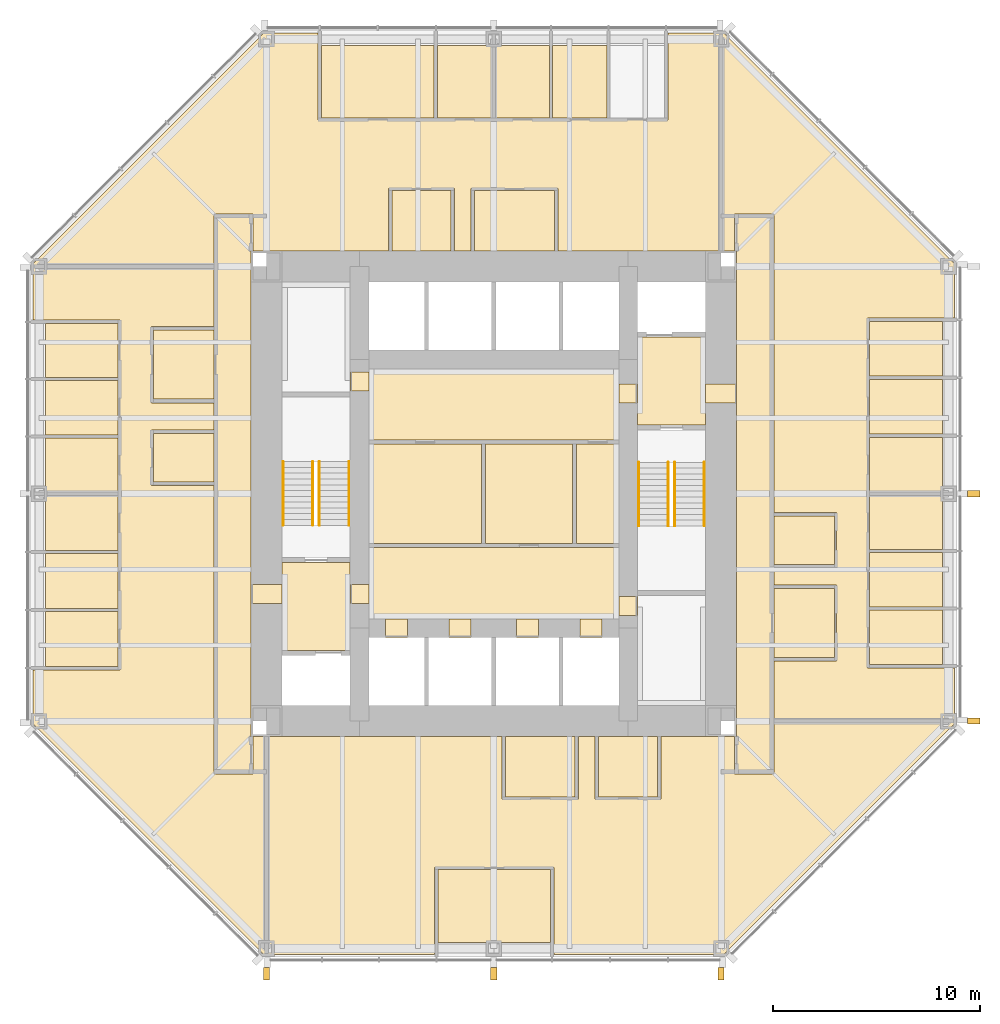
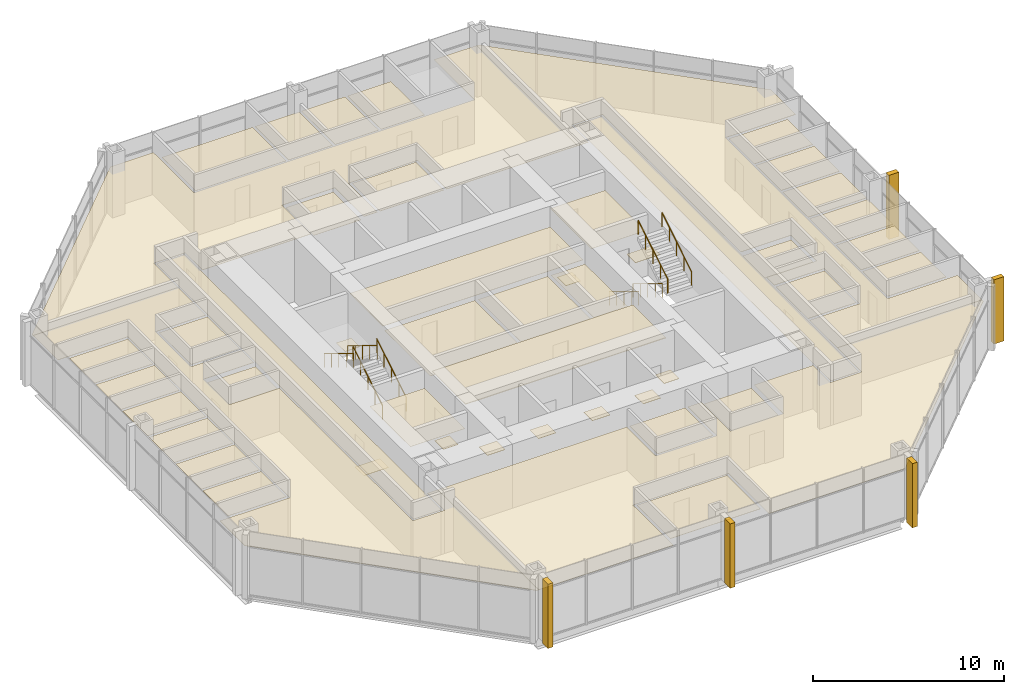
# One storey, part 13 of 14: 53 coverings, 8 railings.
"""IFC4 building model written with IfcOpenShell, lengths in metres."""

from ifc_helpers import new_model, si_unit, direction, frame, origin, origin_2d, place, context, subcontext, project, spatial, polyline, rectangle, circle, outline, extrude, material, layer, layer_set, type_object, element, save


model = new_model("IFC4")

# Units and contexts
model_context = context("Model", 3, precision=1e-05, world=origin(), true_north=direction((0.0, 1.0)))
body_context = subcontext(model_context, "Body", "Model", "MODEL_VIEW")
ifc_project = project(units=[si_unit("LENGTHUNIT", "METRE"), si_unit("AREAUNIT", "SQUARE_METRE"), si_unit("VOLUMEUNIT", "CUBIC_METRE"), si_unit("PLANEANGLEUNIT", "RADIAN"), si_unit("MASSUNIT", "GRAM", prefix="KILO")], contexts=[model_context])

# Site, building, storey
site_placement = place(None, origin())
site = spatial("IfcSite", under=ifc_project, at=site_placement, CompositionType="ELEMENT")
building_placement = place(site_placement, origin())
building = spatial("IfcBuilding", under=site, at=building_placement, Name="Trevanion Tower", CompositionType="ELEMENT")
storey_placement = place(building_placement, frame((0.0, 0.0, 104.89990234375)))
storey = spatial("IfcBuildingStorey", under=building, at=storey_placement, Name="L24", CompositionType="ELEMENT", Elevation=104.89990234375)

# Coverings
ifc_material_1 = material(Name="Fibrous plaster coffers on suspended steel grid", Category="steel")
ifc_layer_1 = layer(ifc_material_1, 0.050048828125)
ifc_layer_set_1 = layer_set([ifc_layer_1], Name="CL1 coffered fibrous plaster ceiling 50")
covering_type_1 = type_object("IfcCoveringType", Name="CL1 coffered fibrous plaster ceiling 50", PredefinedType="CEILING", material=ifc_layer_set_1)
covering_1_placement = place(storey_placement, frame((0.0, 0.0, 3.0)))
element("IfcCovering", 1, at=covering_1_placement, inside=storey, type_object=covering_type_1, Name="CL1 L24-LBS", PredefinedType="CEILING", context=body_context, shape_type="SweptSolid", body=[
    extrude(outline(polyline([(6.050048828125, -6.050048828125), (6.050048828125, -2.60009765625), (-6.050048828125, -2.60009765625), (-6.050048828125, -6.050048828125), (6.050048828125, -6.050048828125)])), origin(), (0.0, 0.0, 1.0), 0.050048828125),
])
ifc_material_2 = material(Name="Mineral fibre acoustic tiles in exposed grid", Category="mineral fibre")
ifc_layer_2 = layer(ifc_material_2, 0.02001953125)
ifc_layer_set_2 = layer_set([ifc_layer_2], Name="CL2 acoustic tile ceiling 20")
covering_type_2 = type_object("IfcCoveringType", Name="CL2 acoustic tile ceiling 20", PredefinedType="CEILING", material=ifc_layer_set_2)
covering_2_placement = place(storey_placement, frame((0.0, 0.0, 2.75)))
element("IfcCovering", 2, at=covering_2_placement, inside=storey, type_object=covering_type_2, Name="CL2 L24-LBN", PredefinedType="CEILING", context=body_context, shape_type="SweptSolid", body=[
    extrude(outline(polyline([(6.050048828125, 2.60009765625), (6.050048828125, 6.050048828125), (-6.050048828125, 6.050048828125), (-6.050048828125, 2.60009765625), (6.050048828125, 2.60009765625)])), origin(), (0.0, 0.0, 1.0), 0.02001953125),
])
covering_3_placement = place(storey_placement, frame((0.0, 0.0, 2.75)))
element("IfcCovering", 3, at=covering_3_placement, inside=storey, type_object=covering_type_2, Name="CL2 L24-CO1", PredefinedType="CEILING", context=body_context, shape_type="SweptSolid", body=[
    extrude(outline(polyline([(-11.75, 13.449951171875), (-11.75, -13.449951171875), (-13.449951171875, -13.449951171875), (-13.449951171875, 13.449951171875), (-11.75, 13.449951171875)])), origin(), (0.0, 0.0, 1.0), 0.02001953125),
])
covering_4_placement = place(storey_placement, frame((0.0, 0.0, 2.75)))
element("IfcCovering", 4, at=covering_4_placement, inside=storey, type_object=covering_type_2, Name="CL2 L24-CO2", PredefinedType="CEILING", context=body_context, shape_type="SweptSolid", body=[
    extrude(outline(polyline([(11.75, 13.449951171875), (13.449951171875, 13.449951171875), (13.449951171875, -13.449951171875), (11.75, -13.449951171875), (11.75, 13.449951171875)])), origin(), (0.0, 0.0, 1.0), 0.02001953125),
])
covering_5_placement = place(storey_placement, frame((0.0, 0.0, 2.75)))
element("IfcCovering", 5, at=covering_5_placement, inside=storey, type_object=covering_type_2, Name="CL2 L24-OF", PredefinedType="CEILING", context=body_context, shape_type="SweptSolid", body=[
    extrude(outline(polyline([(18.175048828125, -8.248046875), (18.175048828125, -5.6240234375), (21.699951171875, -5.6240234375), (21.699951171875, -8.248046875), (18.175048828125, -8.248046875)])), origin(), (0.0, 0.0, 1.0), 0.02001953125),
])
covering_6_placement = place(storey_placement, frame((0.0, 0.0, 2.75)))
element("IfcCovering", 6, at=covering_6_placement, inside=storey, type_object=covering_type_2, Name="CL2 L24-OF2", PredefinedType="CEILING", context=body_context, shape_type="SweptSolid", body=[
    extrude(outline(polyline([(18.175048828125, -5.47412109375), (18.175048828125, -2.85009765625), (21.699951171875, -2.85009765625), (21.699951171875, -5.47412109375), (18.175048828125, -5.47412109375)])), origin(), (0.0, 0.0, 1.0), 0.02001953125),
])
covering_7_placement = place(storey_placement, frame((0.0, 0.0, 2.75)))
element("IfcCovering", 7, at=covering_7_placement, inside=storey, type_object=covering_type_2, Name="CL2 L24-OF3", PredefinedType="CEILING", context=body_context, shape_type="SweptSolid", body=[
    extrude(outline(polyline([(18.175048828125, -2.699951171875), (18.175048828125, -0.074951171875), (21.699951171875, -0.074951171875), (21.699951171875, -2.699951171875), (18.175048828125, -2.699951171875)])), origin(), (0.0, 0.0, 1.0), 0.02001953125),
])
covering_8_placement = place(storey_placement, frame((0.0, 0.0, 2.75)))
element("IfcCovering", 8, at=covering_8_placement, inside=storey, type_object=covering_type_2, Name="CL2 L24-OF4", PredefinedType="CEILING", context=body_context, shape_type="SweptSolid", body=[
    extrude(outline(polyline([(18.175048828125, 0.074951171875), (18.175048828125, 2.73193359375), (21.699951171875, 2.73193359375), (21.699951171875, 0.074951171875), (18.175048828125, 0.074951171875)])), origin(), (0.0, 0.0, 1.0), 0.02001953125),
])
covering_9_placement = place(storey_placement, frame((0.0, 0.0, 2.75)))
element("IfcCovering", 9, at=covering_9_placement, inside=storey, type_object=covering_type_2, Name="CL2 L24-OF5", PredefinedType="CEILING", context=body_context, shape_type="SweptSolid", body=[
    extrude(outline(polyline([(18.175048828125, 2.882080078125), (18.175048828125, 5.5390625), (21.699951171875, 5.5390625), (21.699951171875, 2.882080078125), (18.175048828125, 2.882080078125)])), origin(), (0.0, 0.0, 1.0), 0.02001953125),
])
covering_10_placement = place(storey_placement, frame((0.0, 0.0, 2.75)))
element("IfcCovering", 10, at=covering_10_placement, inside=storey, type_object=covering_type_2, Name="CL2 L24-OF6", PredefinedType="CEILING", context=body_context, shape_type="SweptSolid", body=[
    extrude(outline(polyline([(18.175048828125, 5.68896484375), (18.175048828125, 8.345947265625), (21.699951171875, 8.345947265625), (21.699951171875, 5.68896484375), (18.175048828125, 5.68896484375)])), origin(), (0.0, 0.0, 1.0), 0.02001953125),
])
covering_11_placement = place(storey_placement, frame((0.0, 0.0, 2.75)))
element("IfcCovering", 11, at=covering_11_placement, inside=storey, type_object=covering_type_2, Name="CL2 L24-OF8", PredefinedType="CEILING", context=body_context, shape_type="SweptSolid", body=[
    extrude(outline(polyline([(5.47412109375, 18.175048828125), (2.85009765625, 18.175048828125), (2.85009765625, 21.699951171875), (5.47412109375, 21.699951171875), (5.47412109375, 18.175048828125)])), origin(), (0.0, 0.0, 1.0), 0.02001953125),
])
covering_12_placement = place(storey_placement, frame((0.0, 0.0, 2.75)))
element("IfcCovering", 12, at=covering_12_placement, inside=storey, type_object=covering_type_2, Name="CL2 L24-OF9", PredefinedType="CEILING", context=body_context, shape_type="SweptSolid", body=[
    extrude(outline(polyline([(2.699951171875, 18.175048828125), (0.074951171875, 18.175048828125), (0.074951171875, 21.699951171875), (2.699951171875, 21.699951171875), (2.699951171875, 18.175048828125)])), origin(), (0.0, 0.0, 1.0), 0.02001953125),
])
covering_13_placement = place(storey_placement, frame((0.0, 0.0, 2.75)))
element("IfcCovering", 13, at=covering_13_placement, inside=storey, type_object=covering_type_2, Name="CL2 L24-OF10", PredefinedType="CEILING", context=body_context, shape_type="SweptSolid", body=[
    extrude(outline(polyline([(-0.074951171875, 18.175048828125), (-2.73193359375, 18.175048828125), (-2.73193359375, 21.699951171875), (-0.074951171875, 21.699951171875), (-0.074951171875, 18.175048828125)])), origin(), (0.0, 0.0, 1.0), 0.02001953125),
])
covering_14_placement = place(storey_placement, frame((0.0, 0.0, 2.75)))
element("IfcCovering", 14, at=covering_14_placement, inside=storey, type_object=covering_type_2, Name="CL2 L24-MR", PredefinedType="CEILING", context=body_context, shape_type="SweptSolid", body=[
    extrude(outline(polyline([(-2.882080078125, 18.175048828125), (-8.345947265625, 18.175048828125), (-8.345947265625, 21.699951171875), (-2.882080078125, 21.699951171875), (-2.882080078125, 18.175048828125)])), origin(), (0.0, 0.0, 1.0), 0.02001953125),
])
covering_15_placement = place(storey_placement, frame((0.0, 0.0, 2.75)))
element("IfcCovering", 15, at=covering_15_placement, inside=storey, type_object=covering_type_2, Name="CL2 L24-OF11", PredefinedType="CEILING", context=body_context, shape_type="SweptSolid", body=[
    extrude(outline(polyline([(-18.175048828125, 8.248046875), (-18.175048828125, 5.6240234375), (-21.699951171875, 5.6240234375), (-21.699951171875, 8.248046875), (-18.175048828125, 8.248046875)])), origin(), (0.0, 0.0, 1.0), 0.02001953125),
])
covering_16_placement = place(storey_placement, frame((0.0, 0.0, 2.75)))
element("IfcCovering", 16, at=covering_16_placement, inside=storey, type_object=covering_type_2, Name="CL2 L24-OF12", PredefinedType="CEILING", context=body_context, shape_type="SweptSolid", body=[
    extrude(outline(polyline([(-18.175048828125, 5.47412109375), (-18.175048828125, 2.85009765625), (-21.699951171875, 2.85009765625), (-21.699951171875, 5.47412109375), (-18.175048828125, 5.47412109375)])), origin(), (0.0, 0.0, 1.0), 0.02001953125),
])
covering_17_placement = place(storey_placement, frame((0.0, 0.0, 2.75)))
element("IfcCovering", 17, at=covering_17_placement, inside=storey, type_object=covering_type_2, Name="CL2 L24-OF13", PredefinedType="CEILING", context=body_context, shape_type="SweptSolid", body=[
    extrude(outline(polyline([(-18.175048828125, 2.699951171875), (-18.175048828125, 0.074951171875), (-21.699951171875, 0.074951171875), (-21.699951171875, 2.699951171875), (-18.175048828125, 2.699951171875)])), origin(), (0.0, 0.0, 1.0), 0.02001953125),
])
covering_18_placement = place(storey_placement, frame((0.0, 0.0, 2.75)))
element("IfcCovering", 18, at=covering_18_placement, inside=storey, type_object=covering_type_2, Name="CL2 L24-OF14", PredefinedType="CEILING", context=body_context, shape_type="SweptSolid", body=[
    extrude(outline(polyline([(-18.175048828125, -0.074951171875), (-18.175048828125, -2.73193359375), (-21.699951171875, -2.73193359375), (-21.699951171875, -0.074951171875), (-18.175048828125, -0.074951171875)])), origin(), (0.0, 0.0, 1.0), 0.02001953125),
])
covering_19_placement = place(storey_placement, frame((0.0, 0.0, 2.75)))
element("IfcCovering", 19, at=covering_19_placement, inside=storey, type_object=covering_type_2, Name="CL2 L24-OF15", PredefinedType="CEILING", context=body_context, shape_type="SweptSolid", body=[
    extrude(outline(polyline([(-18.175048828125, -2.882080078125), (-18.175048828125, -5.5390625), (-21.699951171875, -5.5390625), (-21.699951171875, -2.882080078125), (-18.175048828125, -2.882080078125)])), origin(), (0.0, 0.0, 1.0), 0.02001953125),
])
covering_20_placement = place(storey_placement, frame((0.0, 0.0, 2.75)))
element("IfcCovering", 20, at=covering_20_placement, inside=storey, type_object=covering_type_2, Name="CL2 L24-OF16", PredefinedType="CEILING", context=body_context, shape_type="SweptSolid", body=[
    extrude(outline(polyline([(-18.175048828125, -5.68896484375), (-18.175048828125, -8.345947265625), (-21.699951171875, -8.345947265625), (-21.699951171875, -5.68896484375), (-18.175048828125, -5.68896484375)])), origin(), (0.0, 0.0, 1.0), 0.02001953125),
])
covering_21_placement = place(storey_placement, frame((0.0, 0.0, 2.75)))
element("IfcCovering", 21, at=covering_21_placement, inside=storey, type_object=covering_type_2, Name="CL2 L24-MR2", PredefinedType="CEILING", context=body_context, shape_type="SweptSolid", body=[
    extrude(outline(polyline([(-2.699951171875, -18.175048828125), (2.73193359375, -18.175048828125), (2.73193359375, -21.699951171875), (-2.699951171875, -21.699951171875), (-2.699951171875, -18.175048828125)])), origin(), (0.0, 0.0, 1.0), 0.02001953125),
])
covering_22_placement = place(storey_placement, frame((0.0, 0.0, 2.75)))
element("IfcCovering", 22, at=covering_22_placement, inside=storey, type_object=covering_type_2, Name="CL2 L24-RC", PredefinedType="CEILING", context=body_context, shape_type="SweptSolid", body=[
    extrude(outline(polyline([(13.550048828125, -7.925048828125), (13.550048828125, -4.574951171875), (16.47509765625, -4.574951171875), (16.47509765625, -7.925048828125), (13.550048828125, -7.925048828125)])), origin(), (0.0, 0.0, 1.0), 0.02001953125),
])
covering_23_placement = place(storey_placement, frame((0.0, 0.0, 2.75)))
element("IfcCovering", 23, at=covering_23_placement, inside=storey, type_object=covering_type_2, Name="CL2 L24-RC2", PredefinedType="CEILING", context=body_context, shape_type="SweptSolid", body=[
    extrude(outline(polyline([(-0.925048828125, 14.675048828125), (2.925048828125, 14.675048828125), (2.925048828125, 11.75), (-0.925048828125, 11.75), (-0.925048828125, 14.675048828125)])), origin(), (0.0, 0.0, 1.0), 0.02001953125),
])
covering_24_placement = place(storey_placement, frame((0.0, 0.0, 2.75)))
element("IfcCovering", 24, at=covering_24_placement, inside=storey, type_object=covering_type_2, Name="CL2 L24-RC3", PredefinedType="CEILING", context=body_context, shape_type="SweptSolid", body=[
    extrude(outline(polyline([(-13.550048828125, 7.925048828125), (-13.550048828125, 4.574951171875), (-16.47509765625, 4.574951171875), (-16.47509765625, 7.925048828125), (-13.550048828125, 7.925048828125)])), origin(), (0.0, 0.0, 1.0), 0.02001953125),
])
covering_25_placement = place(storey_placement, frame((0.0, 0.0, 2.75)))
element("IfcCovering", 25, at=covering_25_placement, inside=storey, type_object=covering_type_2, Name="CL2 L24-RC4", PredefinedType="CEILING", context=body_context, shape_type="SweptSolid", body=[
    extrude(outline(polyline([(3.925048828125, -14.675048828125), (0.574951171875, -14.675048828125), (0.574951171875, -11.75), (3.925048828125, -11.75), (3.925048828125, -14.675048828125)])), origin(), (0.0, 0.0, 1.0), 0.02001953125),
])
covering_26_placement = place(storey_placement, frame((0.0, 0.0, 2.75)))
element("IfcCovering", 26, at=covering_26_placement, inside=storey, type_object=covering_type_2, Name="CL2 L24-OP", PredefinedType="CEILING", context=body_context, shape_type="SweptSolid", body=[
    extrude(outline(polyline([(13.550048828125, -8.094970703125), (16.570068359375, -8.094970703125), (16.570068359375, -4.405029296875), (13.550048828125, -4.405029296875), (13.550048828125, -3.594970703125), (16.570068359375, -3.594970703125), (16.570068359375, -0.905029296875), (13.550048828125, -0.905029296875), (13.550048828125, 13.550048828125), (11.64990234375, 13.550048828125), (11.64990234375, 11.75), (11.0, 11.75), (11.0, 22.300048828125), (11.124267578125, 22.300048828125), (22.300048828125, 11.124267578125), (22.300048828125, 8.51611328125), (18.080078125, 8.51611328125), (18.080078125, -8.41796875), (22.300048828125, -8.41796875), (22.300048828125, -11.0), (13.550048828125, -11.0), (13.550048828125, -8.094970703125)])), origin(), (0.0, 0.0, 1.0), 0.02001953125),
])
covering_27_placement = place(storey_placement, frame((0.0, 0.0, 2.75)))
element("IfcCovering", 27, at=covering_27_placement, inside=storey, type_object=covering_type_2, Name="CL2 L24-OP2", PredefinedType="CEILING", context=body_context, shape_type="SweptSolid", body=[
    extrude(outline(polyline([(3.094970703125, 11.75), (3.094970703125, 14.77001953125), (-1.094970703125, 14.77001953125), (-1.094970703125, 11.75), (-1.905029296875, 11.75), (-1.905029296875, 14.77001953125), (-5.094970703125, 14.77001953125), (-5.094970703125, 11.75), (-11.64990234375, 11.75), (-11.64990234375, 13.550048828125), (-13.550048828125, 13.550048828125), (-13.550048828125, 11.0), (-22.300048828125, 11.0), (-22.300048828125, 11.124267578125), (-11.124267578125, 22.300048828125), (-8.51611328125, 22.300048828125), (-8.51611328125, 18.080078125), (8.41796875, 18.080078125), (8.41796875, 22.300048828125), (11.0, 22.300048828125), (11.0, 11.75), (3.094970703125, 11.75)])), origin(), (0.0, 0.0, 1.0), 0.02001953125),
])
covering_28_placement = place(storey_placement, frame((0.0, 0.0, 2.75)))
element("IfcCovering", 28, at=covering_28_placement, inside=storey, type_object=covering_type_2, Name="CL2 L24-OP3", PredefinedType="CEILING", context=body_context, shape_type="SweptSolid", body=[
    extrude(outline(polyline([(-13.550048828125, 8.094970703125), (-16.570068359375, 8.094970703125), (-16.570068359375, 4.405029296875), (-13.550048828125, 4.405029296875), (-13.550048828125, 3.094970703125), (-16.570068359375, 3.094970703125), (-16.570068359375, 0.405029296875), (-13.550048828125, 0.405029296875), (-13.550048828125, -13.550048828125), (-11.64990234375, -13.550048828125), (-11.64990234375, -11.75), (-11.0, -11.75), (-11.0, -22.300048828125), (-11.124267578125, -22.300048828125), (-22.300048828125, -11.124267578125), (-22.300048828125, -8.51611328125), (-18.080078125, -8.51611328125), (-18.080078125, 8.41796875), (-22.300048828125, 8.41796875), (-22.300048828125, 11.0), (-13.550048828125, 11.0), (-13.550048828125, 8.094970703125)])), origin(), (0.0, 0.0, 1.0), 0.02001953125),
])
covering_29_placement = place(storey_placement, frame((0.0, 0.0, 2.75)))
element("IfcCovering", 29, at=covering_29_placement, inside=storey, type_object=covering_type_2, Name="CL2 L24-OP4", PredefinedType="CEILING", context=body_context, shape_type="SweptSolid", body=[
    extrude(outline(polyline([(0.405029296875, -11.75), (0.405029296875, -14.77001953125), (4.094970703125, -14.77001953125), (4.094970703125, -11.75), (4.905029296875, -11.75), (4.905029296875, -14.77001953125), (8.094970703125, -14.77001953125), (8.094970703125, -11.75), (11.64990234375, -11.75), (11.64990234375, -13.550048828125), (13.550048828125, -13.550048828125), (13.550048828125, -11.0), (22.300048828125, -11.0), (22.300048828125, -11.124267578125), (11.124267578125, -22.300048828125), (2.902099609375, -22.300048828125), (2.902099609375, -18.080078125), (-2.8701171875, -18.080078125), (-2.8701171875, -22.300048828125), (-11.0, -22.300048828125), (-11.0, -11.75), (0.405029296875, -11.75)])), origin(), (0.0, 0.0, 1.0), 0.02001953125),
])
ifc_material_3 = material(Name="Gypsum plasterboard on suspended metal furring", Category="gypsum")
ifc_layer_3 = layer(ifc_material_3, 0.012939453125)
ifc_layer_set_3 = layer_set([ifc_layer_3], Name="CL3 plasterboard ceiling 13")
covering_type_3 = type_object("IfcCoveringType", Name="CL3 plasterboard ceiling 13", PredefinedType="CEILING", material=ifc_layer_set_3)
covering_30_placement = place(storey_placement, frame((0.0, 0.0, 2.7001953125)))
element("IfcCovering", 30, at=covering_30_placement, inside=storey, type_object=covering_type_3, Name="CL3 L24-FV1", PredefinedType="CEILING", context=body_context, shape_type="SweptSolid", body=[
    extrude(outline(polyline([(10.25, 3.324951171875), (10.25, 7.574951171875), (6.949951171875, 7.574951171875), (6.949951171875, 3.324951171875), (10.25, 3.324951171875)])), origin(), (0.0, 0.0, 1.0), 0.012939453125),
])
covering_31_placement = place(storey_placement, frame((0.0, 0.0, 2.7001953125)))
element("IfcCovering", 31, at=covering_31_placement, inside=storey, type_object=covering_type_3, Name="CL3 L24-FV2", PredefinedType="CEILING", context=body_context, shape_type="SweptSolid", body=[
    extrude(outline(polyline([(-10.25, -3.324951171875), (-10.25, -7.574951171875), (-6.949951171875, -7.574951171875), (-6.949951171875, -3.324951171875), (-10.25, -3.324951171875)])), origin(), (0.0, 0.0, 1.0), 0.012939453125),
])
ifc_material_4 = material(Name="Moisture-resistant gypsum board on suspended metal furring", Category="gypsum")
ifc_layer_4 = layer(ifc_material_4, 0.01611328125)
ifc_layer_set_4 = layer_set([ifc_layer_4], Name="CL4 moisture-resistant board ceiling 16")
covering_type_4 = type_object("IfcCoveringType", Name="CL4 moisture-resistant board ceiling 16", PredefinedType="CEILING", material=ifc_layer_set_4)
covering_32_placement = place(storey_placement, frame((0.0, 0.0, 2.60009765625)))
element("IfcCovering", 32, at=covering_32_placement, inside=storey, type_object=covering_type_4, Name="CL4 L24-WCM", PredefinedType="CEILING", context=body_context, shape_type="SweptSolid", body=[
    extrude(outline(polyline([(-0.60009765625, -2.39990234375), (-0.60009765625, 2.39990234375), (-6.050048828125, 2.39990234375), (-6.050048828125, -2.39990234375), (-0.60009765625, -2.39990234375)])), origin(), (0.0, 0.0, 1.0), 0.01611328125),
])
covering_33_placement = place(storey_placement, frame((0.0, 0.0, 2.60009765625)))
element("IfcCovering", 33, at=covering_33_placement, inside=storey, type_object=covering_type_4, Name="CL4 L24-WCF", PredefinedType="CEILING", context=body_context, shape_type="SweptSolid", body=[
    extrude(outline(polyline([(3.800048828125, -2.39990234375), (3.800048828125, 2.39990234375), (-0.39990234375, 2.39990234375), (-0.39990234375, -2.39990234375), (3.800048828125, -2.39990234375)])), origin(), (0.0, 0.0, 1.0), 0.01611328125),
])
covering_34_placement = place(storey_placement, frame((0.0, 0.0, 2.60009765625)))
element("IfcCovering", 34, at=covering_34_placement, inside=storey, type_object=covering_type_4, Name="CL4 L24-WCA", PredefinedType="CEILING", context=body_context, shape_type="SweptSolid", body=[
    extrude(outline(polyline([(6.050048828125, -2.39990234375), (6.050048828125, 2.39990234375), (4.0, 2.39990234375), (4.0, -2.39990234375), (6.050048828125, -2.39990234375)])), origin(), (0.0, 0.0, 1.0), 0.01611328125),
])
covering_35_placement = place(storey_placement, frame((0.0, 0.0, 2.60009765625)))
element("IfcCovering", 35, at=covering_35_placement, inside=storey, type_object=covering_type_4, Name="CL4 L24-PA", PredefinedType="CEILING", context=body_context, shape_type="SweptSolid", body=[
    extrude(outline(polyline([(13.550048828125, -3.425048828125), (13.550048828125, -1.074951171875), (16.47509765625, -1.074951171875), (16.47509765625, -3.425048828125), (13.550048828125, -3.425048828125)])), origin(), (0.0, 0.0, 1.0), 0.01611328125),
])
covering_36_placement = place(storey_placement, frame((0.0, 0.0, 2.60009765625)))
element("IfcCovering", 36, at=covering_36_placement, inside=storey, type_object=covering_type_4, Name="CL4 L24-PA2", PredefinedType="CEILING", context=body_context, shape_type="SweptSolid", body=[
    extrude(outline(polyline([(-4.925048828125, 14.675048828125), (-2.074951171875, 14.675048828125), (-2.074951171875, 11.75), (-4.925048828125, 11.75), (-4.925048828125, 14.675048828125)])), origin(), (0.0, 0.0, 1.0), 0.01611328125),
])
covering_37_placement = place(storey_placement, frame((0.0, 0.0, 2.60009765625)))
element("IfcCovering", 37, at=covering_37_placement, inside=storey, type_object=covering_type_4, Name="CL4 L24-PA3", PredefinedType="CEILING", context=body_context, shape_type="SweptSolid", body=[
    extrude(outline(polyline([(-13.550048828125, 2.925048828125), (-13.550048828125, 0.574951171875), (-16.47509765625, 0.574951171875), (-16.47509765625, 2.925048828125), (-13.550048828125, 2.925048828125)])), origin(), (0.0, 0.0, 1.0), 0.01611328125),
])
covering_38_placement = place(storey_placement, frame((0.0, 0.0, 2.60009765625)))
element("IfcCovering", 38, at=covering_38_placement, inside=storey, type_object=covering_type_4, Name="CL4 L24-PA4", PredefinedType="CEILING", context=body_context, shape_type="SweptSolid", body=[
    extrude(outline(polyline([(7.925048828125, -14.675048828125), (5.074951171875, -14.675048828125), (5.074951171875, -11.75), (7.925048828125, -11.75), (7.925048828125, -14.675048828125)])), origin(), (0.0, 0.0, 1.0), 0.01611328125),
])
ifc_material_5 = material(Name="Cast bronze fin on aluminium carrier", Category="aluminium")
covering_type_5 = type_object("IfcCoveringType", Name="F1 bronze fin", PredefinedType="CLADDING", material=ifc_material_5)
for number, where, z_axis, x_axis, name in (
    (39, (23.22509765625, -11.0, -0.18994140625), (0.0, 0.0, 1.0), (0.0, 1.0, 0.0), "F1 L24 east -11.0"),
    (40, (23.22509765625, 0.0, -0.18994140625), (0.0, 0.0, 1.0), (0.0, 1.0, 0.0), "F1 L24 east +0.0"),
    (41, (-11.0, -23.22509765625, -0.18994140625), (0.0, 0.0, 1.0), (1.0, 0.0, 0.0), "F1 L24 south -11.0"),
    (42, (0.0, -23.22509765625, -0.18994140625), (0.0, 0.0, 1.0), (1.0, 0.0, 0.0), "F1 L24 south +0.0"),
    (43, (11.0, -23.22509765625, -0.18994140625), (0.0, 0.0, 1.0), (1.0, 0.0, 0.0), "F1 L24 south +11.0"),
):
    element("IfcCovering", number, at=place(storey_placement, frame(where, z_axis=z_axis, x_axis=x_axis)), inside=storey, type_object=covering_type_5, Name=name, PredefinedType="CLADDING", context=body_context, shape_type="SweptSolid", body=[
        extrude(rectangle(XDim=0.300048828125, YDim=0.60009765625, at=origin_2d()), origin(), (0.0, 0.0, 1.0), 4.10009765625),
    ])
ifc_material_6 = material(Name="Terrazzo, brass divider strips", Category="stone")
ifc_layer_5 = layer(ifc_material_6, 0.02001953125)
ifc_layer_set_5 = layer_set([ifc_layer_5], Name="FF1 terrazzo flooring")
covering_type_6 = type_object("IfcCoveringType", Name="FF1 terrazzo flooring", PredefinedType="FLOORING", material=ifc_layer_set_5)
covering_39_placement = place(storey_placement, origin())
element("IfcCovering", 44, at=covering_39_placement, inside=storey, type_object=covering_type_6, Name="FF1 threshold 24-001", PredefinedType="FLOORING", context=body_context, shape_type="SweptSolid", body=[
    extrude(outline(polyline([(11.75, 4.392578125), (11.75, 5.3076171875), (10.25, 5.3076171875), (10.25, 4.392578125), (11.75, 4.392578125)])), origin(), (0.0, 0.0, 1.0), 0.02001953125),
])
covering_40_placement = place(storey_placement, origin())
element("IfcCovering", 45, at=covering_40_placement, inside=storey, type_object=covering_type_6, Name="FF1 threshold 24-002", PredefinedType="FLOORING", context=body_context, shape_type="SweptSolid", body=[
    extrude(outline(polyline([(-11.75, -4.392578125), (-11.75, -5.3076171875), (-10.25, -5.3076171875), (-10.25, -4.392578125), (-11.75, -4.392578125)])), origin(), (0.0, 0.0, 1.0), 0.02001953125),
])
covering_41_placement = place(storey_placement, origin())
element("IfcCovering", 46, at=covering_41_placement, inside=storey, type_object=covering_type_6, Name="FF1 threshold 24-003", PredefinedType="FLOORING", context=body_context, shape_type="SweptSolid", body=[
    extrude(outline(polyline([(6.949951171875, 4.392578125), (6.949951171875, 5.3076171875), (6.050048828125, 5.3076171875), (6.050048828125, 4.392578125), (6.949951171875, 4.392578125)])), origin(), (0.0, 0.0, 1.0), 0.02001953125),
])
covering_42_placement = place(storey_placement, origin())
element("IfcCovering", 47, at=covering_42_placement, inside=storey, type_object=covering_type_6, Name="FF1 threshold 24-004", PredefinedType="FLOORING", context=body_context, shape_type="SweptSolid", body=[
    extrude(outline(polyline([(-6.949951171875, -4.392578125), (-6.949951171875, -5.3076171875), (-6.050048828125, -5.3076171875), (-6.050048828125, -4.392578125), (-6.949951171875, -4.392578125)])), origin(), (0.0, 0.0, 1.0), 0.02001953125),
])
covering_43_placement = place(storey_placement, origin())
element("IfcCovering", 48, at=covering_43_placement, inside=storey, type_object=covering_type_6, Name="FF1 threshold 24-009", PredefinedType="FLOORING", context=body_context, shape_type="SweptSolid", body=[
    extrude(outline(polyline([(6.949951171875, -5.889892578125), (6.949951171875, -4.97509765625), (6.050048828125, -4.97509765625), (6.050048828125, -5.889892578125), (6.949951171875, -5.889892578125)])), origin(), (0.0, 0.0, 1.0), 0.02001953125),
])
covering_44_placement = place(storey_placement, origin())
element("IfcCovering", 49, at=covering_44_placement, inside=storey, type_object=covering_type_6, Name="FF1 threshold 24-010", PredefinedType="FLOORING", context=body_context, shape_type="SweptSolid", body=[
    extrude(outline(polyline([(-6.949951171875, 5.889892578125), (-6.949951171875, 4.97509765625), (-6.050048828125, 4.97509765625), (-6.050048828125, 5.889892578125), (-6.949951171875, 5.889892578125)])), origin(), (0.0, 0.0, 1.0), 0.02001953125),
])
covering_45_placement = place(storey_placement, origin())
element("IfcCovering", 50, at=covering_45_placement, inside=storey, type_object=covering_type_6, Name="FF1 threshold 24-011", PredefinedType="FLOORING", context=body_context, shape_type="SweptSolid", body=[
    extrude(outline(polyline([(-5.2333984375, -6.949951171875), (-4.16650390625, -6.949951171875), (-4.16650390625, -6.050048828125), (-5.2333984375, -6.050048828125), (-5.2333984375, -6.949951171875)])), origin(), (0.0, 0.0, 1.0), 0.02001953125),
])
covering_46_placement = place(storey_placement, origin())
element("IfcCovering", 51, at=covering_46_placement, inside=storey, type_object=covering_type_6, Name="FF1 threshold 24-012", PredefinedType="FLOORING", context=body_context, shape_type="SweptSolid", body=[
    extrude(outline(polyline([(-2.158447265625, -6.949951171875), (-1.091552734375, -6.949951171875), (-1.091552734375, -6.050048828125), (-2.158447265625, -6.050048828125), (-2.158447265625, -6.949951171875)])), origin(), (0.0, 0.0, 1.0), 0.02001953125),
])
covering_47_placement = place(storey_placement, origin())
element("IfcCovering", 52, at=covering_47_placement, inside=storey, type_object=covering_type_6, Name="FF1 threshold 24-013", PredefinedType="FLOORING", context=body_context, shape_type="SweptSolid", body=[
    extrude(outline(polyline([(1.091552734375, -6.949951171875), (2.158447265625, -6.949951171875), (2.158447265625, -6.050048828125), (1.091552734375, -6.050048828125), (1.091552734375, -6.949951171875)])), origin(), (0.0, 0.0, 1.0), 0.02001953125),
])
covering_48_placement = place(storey_placement, origin())
element("IfcCovering", 53, at=covering_48_placement, inside=storey, type_object=covering_type_6, Name="FF1 threshold 24-014", PredefinedType="FLOORING", context=body_context, shape_type="SweptSolid", body=[
    extrude(outline(polyline([(4.16650390625, -6.949951171875), (5.2333984375, -6.949951171875), (5.2333984375, -6.050048828125), (4.16650390625, -6.050048828125), (4.16650390625, -6.949951171875)])), origin(), (0.0, 0.0, 1.0), 0.02001953125),
])

# Railings
ifc_material_7 = material(Name="Stainless steel tube 40 mm", Category="steel")
railing_type = type_object("IfcRailingType", Name="HR1 handrail", PredefinedType="HANDRAIL", material=ifc_material_7)
for number, where, name in (
    (54, (7.010009765625, 1.52490234375, 0.1708984375), "HR1 ST1 L24 flight 1"),
    (55, (8.43994140625, 1.52490234375, 0.1708984375), "HR1 ST1 L24 flight 1"),
):
    element("IfcRailing", number, at=place(storey_placement, frame(where)), inside=storey, type_object=railing_type, Name=name, PredefinedType="HANDRAIL", context=body_context, shape_type="SweptSolid", body=[
        extrude(circle(Radius=0.02001953125, at=origin_2d()), frame((0.0, 0.0, 0.8798828125), z_axis=(0.0, -0.853647949592, 0.520850437417), x_axis=(1.0, 0.0, 0.0)), (0.0, 0.0, 1.0), 3.60791015625),
        extrude(circle(Radius=0.01513671875, at=origin_2d()), origin(), (0.0, 0.0, 1.0), 0.85986328125),
        extrude(circle(Radius=0.01513671875, at=origin_2d()), frame((0.0, -0.77001953125, 0.4697265625)), (0.0, 0.0, 1.0), 0.85986328125),
        extrude(circle(Radius=0.01513671875, at=origin_2d()), frame((0.0, -1.5400390625, 0.939453125)), (0.0, 0.0, 1.0), 0.85986328125),
        extrude(circle(Radius=0.01513671875, at=origin_2d()), frame((0.0, -2.309814453125, 1.409423828125)), (0.0, 0.0, 1.0), 0.85986328125),
        extrude(circle(Radius=0.01513671875, at=origin_2d()), frame((0.0, -3.079833984375, 1.879150390625)), (0.0, 0.0, 1.0), 0.85986328125),
    ])
for number, where, name in (
    (56, (8.760009765625, -1.554931640625, 2.220947265625), "HR1 ST1 L24 flight 2"),
    (57, (10.18994140625, -1.554931640625, 2.220947265625), "HR1 ST1 L24 flight 2"),
    (58, (-7.010009765625, -1.52490234375, 0.1708984375), "HR1 ST2 L24 flight 1"),
    (59, (-8.43994140625, -1.52490234375, 0.1708984375), "HR1 ST2 L24 flight 1"),
):
    element("IfcRailing", number, at=place(storey_placement, frame(where)), inside=storey, type_object=railing_type, Name=name, PredefinedType="HANDRAIL", context=body_context, shape_type="SweptSolid", body=[
        extrude(circle(Radius=0.02001953125, at=origin_2d()), frame((0.0, 0.0, 0.8798828125), z_axis=(0.0, 0.853647949592, 0.520850437417), x_axis=(-1.0, 0.0, 0.0)), (0.0, 0.0, 1.0), 3.60791015625),
        extrude(circle(Radius=0.01513671875, at=origin_2d()), origin(), (0.0, 0.0, 1.0), 0.85986328125),
        extrude(circle(Radius=0.01513671875, at=origin_2d()), frame((0.0, 0.77001953125, 0.4697265625)), (0.0, 0.0, 1.0), 0.85986328125),
        extrude(circle(Radius=0.01513671875, at=origin_2d()), frame((0.0, 1.5400390625, 0.939453125)), (0.0, 0.0, 1.0), 0.85986328125),
        extrude(circle(Radius=0.01513671875, at=origin_2d()), frame((0.0, 2.309814453125, 1.409423828125)), (0.0, 0.0, 1.0), 0.85986328125),
        extrude(circle(Radius=0.01513671875, at=origin_2d()), frame((0.0, 3.079833984375, 1.879150390625)), (0.0, 0.0, 1.0), 0.85986328125),
    ])
for number, where, name in (
    (60, (-8.760009765625, 1.554931640625, 2.220947265625), "HR1 ST2 L24 flight 2"),
    (61, (-10.18994140625, 1.554931640625, 2.220947265625), "HR1 ST2 L24 flight 2"),
):
    element("IfcRailing", number, at=place(storey_placement, frame(where)), inside=storey, type_object=railing_type, Name=name, PredefinedType="HANDRAIL", context=body_context, shape_type="SweptSolid", body=[
        extrude(circle(Radius=0.02001953125, at=origin_2d()), frame((0.0, 0.0, 0.8798828125), z_axis=(0.0, -0.853647949592, 0.520850437417), x_axis=(1.0, 0.0, 0.0)), (0.0, 0.0, 1.0), 3.60791015625),
        extrude(circle(Radius=0.01513671875, at=origin_2d()), origin(), (0.0, 0.0, 1.0), 0.85986328125),
        extrude(circle(Radius=0.01513671875, at=origin_2d()), frame((0.0, -0.77001953125, 0.4697265625)), (0.0, 0.0, 1.0), 0.85986328125),
        extrude(circle(Radius=0.01513671875, at=origin_2d()), frame((0.0, -1.5400390625, 0.939453125)), (0.0, 0.0, 1.0), 0.85986328125),
        extrude(circle(Radius=0.01513671875, at=origin_2d()), frame((0.0, -2.309814453125, 1.409423828125)), (0.0, 0.0, 1.0), 0.85986328125),
        extrude(circle(Radius=0.01513671875, at=origin_2d()), frame((0.0, -3.079833984375, 1.879150390625)), (0.0, 0.0, 1.0), 0.85986328125),
    ])

save(model, "model.ifc")
